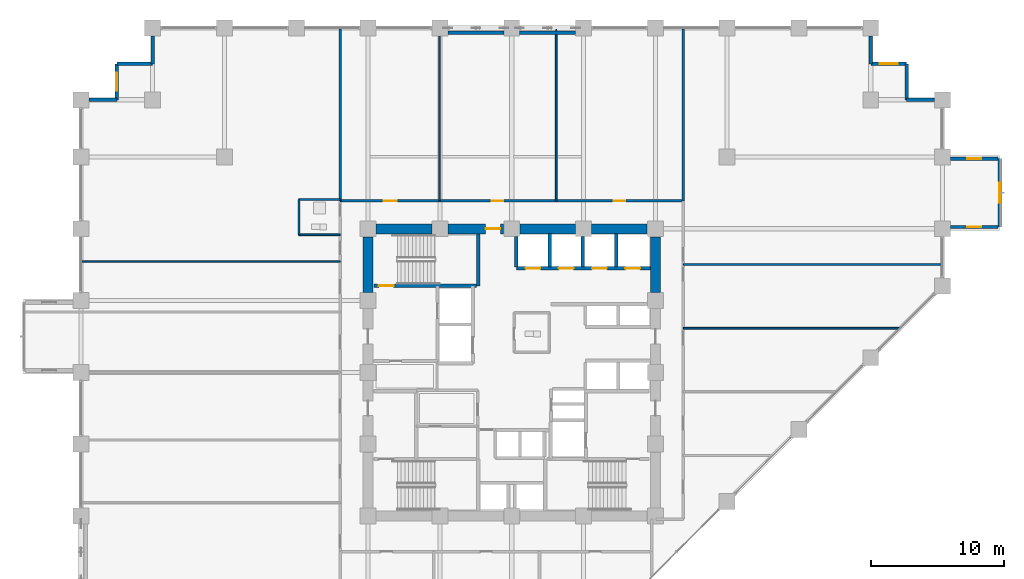
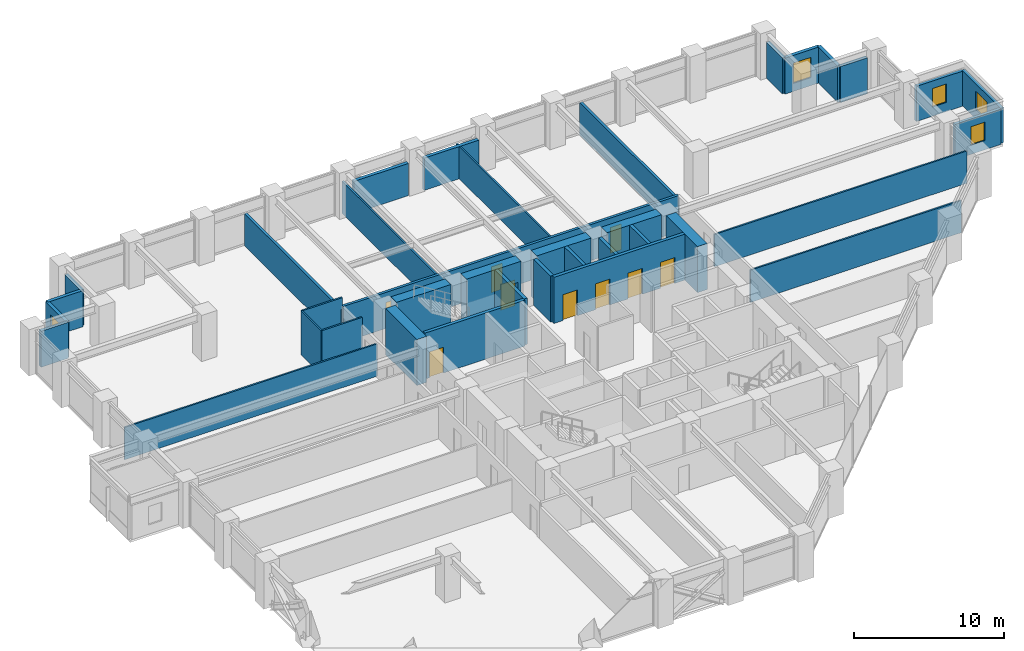
# One storey, part 23 of 28: 37 walls, 9 doors, 5 windows, 14 openings.
"""IFC4 building model written with IfcOpenShell, lengths in metres."""

from ifc_helpers import new_model, si_unit, direction, frame, frame_2d, origin, place, context, subcontext, project, spatial, rectangle, extrude, material, layer, layer_set, type_object, element, fill, save


model = new_model("IFC4")

# Units and contexts
model_context = context("Model", 3, precision=1e-05, world=origin(), true_north=direction((0.0, 1.0)))
body_context = subcontext(model_context, "Body", "Model", "MODEL_VIEW")
ifc_project = project(units=[si_unit("LENGTHUNIT", "METRE"), si_unit("AREAUNIT", "SQUARE_METRE"), si_unit("VOLUMEUNIT", "CUBIC_METRE"), si_unit("PLANEANGLEUNIT", "RADIAN"), si_unit("MASSUNIT", "GRAM", prefix="KILO")], contexts=[model_context])

# Site, building, storey
site_placement = place(None, origin())
site = spatial("IfcSite", under=ifc_project, at=site_placement, CompositionType="ELEMENT")
building_placement = place(site_placement, origin())
building = spatial("IfcBuilding", under=site, at=building_placement, Name="Surkhivell Harbour Commons", CompositionType="ELEMENT")
storey_placement = place(building_placement, frame((0.0, 0.0, 67.5)))
storey = spatial("IfcBuildingStorey", under=building, at=storey_placement, Name="L17", CompositionType="ELEMENT", Elevation=67.5)

# Wall
ifc_material_1 = material(Name="Concrete C60/75", Category="concrete")
ifc_layer_1 = layer(ifc_material_1, 0.75)
ifc_layer_set_1 = layer_set([ifc_layer_1], Name="Concrete C60/75")
wall_type_1 = type_object("IfcWallType", Name="WAL-CORE-750", PredefinedType="SHEAR", material=ifc_layer_set_1)
wall_1_placement = place(storey_placement, frame((-10.18994140625, 10.800048828125, 0.0), z_axis=(0.0, 0.0, 1.0), x_axis=(1.0, 0.0, 0.0)))
element("IfcWall", 1, at=wall_1_placement, inside=storey, type_object=wall_type_1, Name="L17 Core Shear Wall North 1", PredefinedType="SHEAR", context=body_context, shape_type="SweptSolid", body=[
    extrude(rectangle(XDim=4.179931640625, YDim=0.75, at=frame_2d((2.08984375, 0.0))), origin(), (0.0, 0.0, 1.0), 3.75),
])

# Wall, opening, door
wall_2_placement = place(storey_placement, frame((-4.7900390625, 10.800048828125, 0.0), z_axis=(0.0, 0.0, 1.0), x_axis=(1.0, 0.0, 0.0)))
wall_2 = element("IfcWall", 2, at=wall_2_placement, inside=storey, type_object=wall_type_1, Name="L17 Core Shear Wall North 2", PredefinedType="SHEAR", context=body_context, shape_type="SweptSolid", body=[
    extrude(rectangle(XDim=4.179931640625, YDim=0.75, at=frame_2d((2.08984375, 0.0))), origin(), (0.0, 0.0, 1.0), 3.75),
])
opening_1_placement = place(wall_2_placement, frame((2.830078125, 0.0, 0.0)))
opening_1 = element("IfcOpeningElement", 3, at=opening_1_placement, cuts=wall_2, Name="Opening ID-2", PredefinedType="OPENING", context=body_context, shape_type="SweptSolid", body=[
    extrude(rectangle(XDim=1.10009765625, YDim=2.10009765625, at=frame_2d((0.550048828125, 1.050048828125))), frame((0.0, 0.385009765625, 0.0), z_axis=(0.0, -1.0, 0.0), x_axis=(1.0, 0.0, 0.0)), (0.0, 0.0, 1.0), 0.77001953125),
])
ifc_material_2 = material(Name="Hardwood-veneered fire-rated door leaf", Category="wood")
door_type_1 = type_object("IfcDoorType", Name="DOR-FD60-1100", OperationType="NOTDEFINED", PredefinedType="DOOR", material=ifc_material_2)
door_1_placement = place(opening_1_placement, origin())
door_1 = element("IfcDoor", 4, at=door_1_placement, inside=storey, type_object=door_type_1, Name="L17 Central Core Lift Hall North Corridor Door", OperationType="SINGLE_SWING_LEFT", OverallHeight=2.10009765625, OverallWidth=1.10009765625, PredefinedType="DOOR", context=body_context, shape_type="SweptSolid", body=[
    extrude(rectangle(XDim=1.10009765625, YDim=2.10009765625, at=frame_2d((0.550048828125, 1.050048828125))), frame((0.0, 0.02490234375, 0.0), z_axis=(0.0, -1.0, 0.0), x_axis=(1.0, 0.0, 0.0)), (0.0, 0.0, 1.0), 0.050048828125),
])
fill(opening_1, door_1)

# Walls
for number, where, z_axis, x_axis, name in (
    (5, (0.610107421875, 10.800048828125, 0.0), (0.0, 0.0, 1.0), (1.0, 0.0, 0.0), "L17 Core Shear Wall North 3"),
    (6, (6.010009765625, 10.800048828125, 0.0), (0.0, 0.0, 1.0), (1.0, 0.0, 0.0), "L17 Core Shear Wall North 4"),
    (7, (-10.800048828125, 6.010009765625, 0.0), (0.0, 0.0, 1.0), (0.0, 1.0, 0.0), "L17 Core Shear Wall West 4"),
    (8, (10.800048828125, 6.010009765625, 0.0), (0.0, 0.0, 1.0), (0.0, 1.0, 0.0), "L17 Core Shear Wall East 4"),
):
    element("IfcWall", number, at=place(storey_placement, frame(where, z_axis=z_axis, x_axis=x_axis)), inside=storey, type_object=wall_type_1, Name=name, PredefinedType="SHEAR", context=body_context, shape_type="SweptSolid", body=[
        extrude(rectangle(XDim=4.179931640625, YDim=0.75, at=frame_2d((2.08984375, 0.0))), origin(), (0.0, 0.0, 1.0), 3.75),
    ])
ifc_material_3 = material(Name="Pale-metal insulated precast concrete C45/55", Category="concrete")
ifc_layer_2 = layer(ifc_material_3, 0.260009765625)
ifc_layer_set_2 = layer_set([ifc_layer_2], Name="Pale-metal insulated precast concrete C45/55")
wall_type_2 = type_object("IfcWallType", Name="WAL-EXT-MTL260", PredefinedType="STANDARD", material=ifc_layer_set_2)
wall_3_placement = place(storey_placement, frame((31.802001953125, 20.5, 0.0), z_axis=(0.0, 0.0, 1.0), x_axis=(-1.0, 0.0, 0.0)))
element("IfcWall", 9, at=wall_3_placement, inside=storey, type_object=wall_type_2, Name="L17 Serrated Corner Facade Wall 03", PredefinedType="STANDARD", context=body_context, shape_type="SweptSolid", body=[
    extrude(rectangle(XDim=2.10205078125, YDim=0.260009765625, at=frame_2d((1.051025390625, 0.0))), origin(), (0.0, 0.0, 1.0), 2.929931640625),
])
wall_4_placement = place(storey_placement, frame((29.699951171875, 20.5, 0.0), z_axis=(0.0, 0.0, 1.0), x_axis=(0.0, 1.0, 0.0)))
element("IfcWall", 10, at=wall_4_placement, inside=storey, type_object=wall_type_2, Name="L17 Serrated Corner Facade Wall 04", PredefinedType="STANDARD", context=body_context, shape_type="SweptSolid", body=[
    extrude(rectangle(XDim=2.699951171875, YDim=0.260009765625, at=frame_2d((1.35009765625, 0.0))), origin(), (0.0, 0.0, 1.0), 2.929931640625),
])

# Wall, opening, window
wall_5_placement = place(storey_placement, frame((29.699951171875, 23.199951171875, 0.0), z_axis=(0.0, 0.0, 1.0), x_axis=(-1.0, 0.0, 0.0)))
wall_5 = element("IfcWall", 11, at=wall_5_placement, inside=storey, type_object=wall_type_2, Name="L17 Serrated Corner Facade Wall 05", PredefinedType="STANDARD", context=body_context, shape_type="SweptSolid", body=[
    extrude(rectangle(XDim=2.699951171875, YDim=0.260009765625, at=frame_2d((1.35009765625, 0.0))), origin(), (0.0, 0.0, 1.0), 2.929931640625),
])
opening_2_placement = place(wall_5_placement, frame((0.675048828125, 0.0, 0.64990234375)))
opening_2 = element("IfcOpeningElement", 12, at=opening_2_placement, cuts=wall_5, Name="Opening WN-08", PredefinedType="OPENING", context=body_context, shape_type="SweptSolid", body=[
    extrude(rectangle(XDim=1.35009765625, YDim=1.64990234375, at=frame_2d((0.675048828125, 0.824951171875))), frame((0.0, 0.139892578125, 0.0), z_axis=(0.0, -1.0, 0.0), x_axis=(1.0, 0.0, 0.0)), (0.0, 0.0, 1.0), 0.280029296875),
])
ifc_material_4 = material(Name="Thermal-break aluminium frame and double low-E glazing", Category="aluminium")
window_type_1 = type_object("IfcWindowType", Name="WIN-SER-1350x1650", PartitioningType="SINGLE_PANEL", PredefinedType="WINDOW", material=ifc_material_4)
window_1_placement = place(opening_2_placement, origin())
window_1 = element("IfcWindow", 13, at=window_1_placement, inside=storey, type_object=window_type_1, Name="L17 Serrated Alcove Window 05", OverallHeight=1.64990234375, OverallWidth=1.35009765625, PartitioningType="SINGLE_PANEL", PredefinedType="WINDOW", context=body_context, shape_type="SweptSolid", body=[
    extrude(rectangle(XDim=1.35009765625, YDim=1.64990234375, at=frame_2d((0.675048828125, 0.824951171875))), frame((0.0, 0.030029296875, 0.0), z_axis=(0.0, -1.0, 0.0), x_axis=(1.0, 0.0, 0.0)), (0.0, 0.0, 1.0), 0.06005859375),
])
fill(opening_2, window_1)

# Walls
wall_6_placement = place(storey_placement, frame((27.0, 23.199951171875, 0.0), z_axis=(0.0, 0.0, 1.0), x_axis=(0.0, 1.0, 0.0)))
element("IfcWall", 14, at=wall_6_placement, inside=storey, type_object=wall_type_2, Name="L17 Serrated Corner Facade Wall 06", PredefinedType="STANDARD", context=body_context, shape_type="SweptSolid", body=[
    extrude(rectangle(XDim=2.10205078125, YDim=0.260009765625, at=frame_2d((1.051025390625, 0.0))), origin(), (0.0, 0.0, 1.0), 2.929931640625),
])
for number, where, z_axis, x_axis, name in (
    (15, (-0.597900390625, 25.5400390625, 0.0), (0.0, 0.0, 1.0), (-1.0, 0.0, 0.0), "L17 Braced-Bay Insulated Spandrel Backing N"),
    (16, (4.802001953125, 25.5400390625, 0.0), (0.0, 0.0, 1.0), (-1.0, 0.0, 0.0), "L17 Braced-Bay Insulated Spandrel Backing N2"),
):
    element("IfcWall", number, at=place(storey_placement, frame(where, z_axis=z_axis, x_axis=x_axis)), inside=storey, type_object=wall_type_2, Name=name, PredefinedType="STANDARD", context=body_context, shape_type="SweptSolid", body=[
        extrude(rectangle(XDim=4.2041015625, YDim=0.260009765625, at=frame_2d((2.10205078125, 0.0))), origin(), (0.0, 0.0, 1.0), 2.623046875),
    ])
wall_7_placement = place(storey_placement, frame((-27.0, 25.302001953125, 0.0), z_axis=(0.0, 0.0, 1.0), x_axis=(0.0, -1.0, 0.0)))
element("IfcWall", 17, at=wall_7_placement, inside=storey, type_object=wall_type_2, Name="L17 Serrated Corner Facade Wall 08", PredefinedType="STANDARD", context=body_context, shape_type="SweptSolid", body=[
    extrude(rectangle(XDim=2.10205078125, YDim=0.260009765625, at=frame_2d((1.051025390625, 0.0))), origin(), (0.0, 0.0, 1.0), 2.929931640625),
])
wall_8_placement = place(storey_placement, frame((-27.0, 23.199951171875, 0.0), z_axis=(0.0, 0.0, 1.0), x_axis=(-1.0, 0.0, 0.0)))
element("IfcWall", 18, at=wall_8_placement, inside=storey, type_object=wall_type_2, Name="L17 Serrated Corner Facade Wall 09", PredefinedType="STANDARD", context=body_context, shape_type="SweptSolid", body=[
    extrude(rectangle(XDim=2.699951171875, YDim=0.260009765625, at=frame_2d((1.35009765625, 0.0))), origin(), (0.0, 0.0, 1.0), 2.929931640625),
])

# Wall, opening, window
wall_9_placement = place(storey_placement, frame((-29.699951171875, 23.199951171875, 0.0), z_axis=(0.0, 0.0, 1.0), x_axis=(0.0, -1.0, 0.0)))
wall_9 = element("IfcWall", 19, at=wall_9_placement, inside=storey, type_object=wall_type_2, Name="L17 Serrated Corner Facade Wall 10", PredefinedType="STANDARD", context=body_context, shape_type="SweptSolid", body=[
    extrude(rectangle(XDim=2.699951171875, YDim=0.260009765625, at=frame_2d((1.35009765625, 0.0))), origin(), (0.0, 0.0, 1.0), 2.929931640625),
])
opening_3_placement = place(wall_9_placement, frame((0.675048828125, 0.0, 0.64990234375)))
opening_3 = element("IfcOpeningElement", 20, at=opening_3_placement, cuts=wall_9, Name="Opening WN-08", PredefinedType="OPENING", context=body_context, shape_type="SweptSolid", body=[
    extrude(rectangle(XDim=1.35009765625, YDim=1.64990234375, at=frame_2d((0.675048828125, 0.824951171875))), frame((0.0, 0.139892578125, 0.0), z_axis=(0.0, -1.0, 0.0), x_axis=(1.0, 0.0, 0.0)), (0.0, 0.0, 1.0), 0.280029296875),
])
window_2_placement = place(opening_3_placement, origin())
window_2 = element("IfcWindow", 21, at=window_2_placement, inside=storey, type_object=window_type_1, Name="L17 Serrated Alcove Window 10", OverallHeight=1.64990234375, OverallWidth=1.35009765625, PartitioningType="SINGLE_PANEL", PredefinedType="WINDOW", context=body_context, shape_type="SweptSolid", body=[
    extrude(rectangle(XDim=1.35009765625, YDim=1.64990234375, at=frame_2d((0.675048828125, 0.824951171875))), frame((0.0, 0.030029296875, 0.0), z_axis=(0.0, -1.0, 0.0), x_axis=(1.0, 0.0, 0.0)), (0.0, 0.0, 1.0), 0.06005859375),
])
fill(opening_3, window_2)

# Wall
wall_10_placement = place(storey_placement, frame((-29.699951171875, 20.5, 0.0), z_axis=(0.0, 0.0, 1.0), x_axis=(-1.0, 0.0, 0.0)))
element("IfcWall", 22, at=wall_10_placement, inside=storey, type_object=wall_type_2, Name="L17 Serrated Corner Facade Wall 11", PredefinedType="STANDARD", context=body_context, shape_type="SweptSolid", body=[
    extrude(rectangle(XDim=2.10205078125, YDim=0.260009765625, at=frame_2d((1.051025390625, 0.0))), origin(), (0.0, 0.0, 1.0), 2.929931640625),
])

# Wall, opening, window
ifc_material_5 = material(Name="Bronze-ochre cassette precast concrete C45/55", Category="concrete")
ifc_layer_3 = layer(ifc_material_5, 0.239990234375)
ifc_layer_set_3 = layer_set([ifc_layer_3], Name="Bronze-ochre cassette precast concrete C45/55")
wall_type_3 = type_object("IfcWallType", Name="WAL-EXT-OCH240", PredefinedType="STANDARD", material=ifc_layer_set_3)
wall_11_placement = place(storey_placement, frame((36.699951171875, 10.919921875, 0.0), z_axis=(0.0, 0.0, 1.0), x_axis=(0.0, 1.0, 0.0)))
wall_11 = element("IfcWall", 23, at=wall_11_placement, inside=storey, type_object=wall_type_3, Name="L17 Coloured Box Front Wall 01", PredefinedType="STANDARD", context=body_context, shape_type="SweptSolid", body=[
    extrude(rectangle(XDim=5.16015625, YDim=0.239990234375, at=frame_2d((2.580078125, 0.0))), origin(), (0.0, 0.0, 1.0), 2.85693359375),
])
opening_4_placement = place(wall_11_placement, frame((1.830078125, 0.0, 0.75)))
opening_4 = element("IfcOpeningElement", 24, at=opening_4_placement, cuts=wall_11, Name="Opening WN-13", PredefinedType="OPENING", context=body_context, shape_type="SweptSolid", body=[
    extrude(rectangle(XDim=1.5, YDim=1.5, at=frame_2d((0.75, 0.75))), frame((0.0, 0.1298828125, 0.0), z_axis=(0.0, -1.0, 0.0), x_axis=(1.0, 0.0, 0.0)), (0.0, 0.0, 1.0), 0.260009765625),
])
window_type_2 = type_object("IfcWindowType", Name="WIN-BOX-1500x1500", PartitioningType="SINGLE_PANEL", PredefinedType="WINDOW", material=ifc_material_4)
window_3_placement = place(opening_4_placement, origin())
window_3 = element("IfcWindow", 25, at=window_3_placement, inside=storey, type_object=window_type_2, Name="L17 Coloured Box Square Window 01-1", OverallHeight=1.5, OverallWidth=1.5, PartitioningType="SINGLE_PANEL", PredefinedType="WINDOW", context=body_context, shape_type="SweptSolid", body=[
    extrude(rectangle(XDim=1.5, YDim=1.5, at=frame_2d((0.75, 0.75))), frame((0.0, 0.030029296875, 0.0), z_axis=(0.0, -1.0, 0.0), x_axis=(1.0, 0.0, 0.0)), (0.0, 0.0, 1.0), 0.06005859375),
])
fill(opening_4, window_3)

wall_12_placement = place(storey_placement, frame((33.00390625, 10.93994140625, 0.0), z_axis=(0.0, 0.0, 1.0), x_axis=(1.0, 0.0, 0.0)))
wall_12 = element("IfcWall", 26, at=wall_12_placement, inside=storey, type_object=wall_type_3, Name="L17 Coloured Box Return Wall 01S", PredefinedType="STANDARD", context=body_context, shape_type="SweptSolid", body=[
    extrude(rectangle(XDim=3.55615234375, YDim=0.239990234375, at=frame_2d((1.778076171875, 0.0))), origin(), (0.0, 0.0, 1.0), 2.85693359375),
])
opening_5_placement = place(wall_12_placement, frame((1.2529296875, 0.0, 0.75)))
opening_5 = element("IfcOpeningElement", 27, at=opening_5_placement, cuts=wall_12, Name="Opening WN-11", PredefinedType="OPENING", context=body_context, shape_type="SweptSolid", body=[
    extrude(rectangle(XDim=1.050048828125, YDim=1.5, at=frame_2d((0.52490234375, 0.75))), frame((0.0, 0.1298828125, 0.0), z_axis=(0.0, -1.0, 0.0), x_axis=(1.0, 0.0, 0.0)), (0.0, 0.0, 1.0), 0.260009765625),
])
window_type_3 = type_object("IfcWindowType", Name="WIN-SER-1050x1500", PartitioningType="SINGLE_PANEL", PredefinedType="WINDOW", material=ifc_material_4)
window_4_placement = place(opening_5_placement, origin())
window_4 = element("IfcWindow", 28, at=window_4_placement, inside=storey, type_object=window_type_3, Name="L17 Coloured Box Return Window 01S", OverallHeight=1.5, OverallWidth=1.050048828125, PartitioningType="SINGLE_PANEL", PredefinedType="WINDOW", context=body_context, shape_type="SweptSolid", body=[
    extrude(rectangle(XDim=1.050048828125, YDim=1.5, at=frame_2d((0.52490234375, 0.75))), frame((0.0, 0.030029296875, 0.0), z_axis=(0.0, -1.0, 0.0), x_axis=(1.0, 0.0, 0.0)), (0.0, 0.0, 1.0), 0.06005859375),
])
fill(opening_5, window_4)

wall_13_placement = place(storey_placement, frame((33.00390625, 16.06005859375, 0.0), z_axis=(0.0, 0.0, 1.0), x_axis=(1.0, 0.0, 0.0)))
wall_13 = element("IfcWall", 29, at=wall_13_placement, inside=storey, type_object=wall_type_3, Name="L17 Coloured Box Return Wall 01N", PredefinedType="STANDARD", context=body_context, shape_type="SweptSolid", body=[
    extrude(rectangle(XDim=3.55615234375, YDim=0.239990234375, at=frame_2d((1.778076171875, 0.0))), origin(), (0.0, 0.0, 1.0), 2.85693359375),
])
opening_6_placement = place(wall_13_placement, frame((1.2529296875, 0.0, 0.75)))
opening_6 = element("IfcOpeningElement", 30, at=opening_6_placement, cuts=wall_13, Name="Opening WN-11", PredefinedType="OPENING", context=body_context, shape_type="SweptSolid", body=[
    extrude(rectangle(XDim=1.050048828125, YDim=1.5, at=frame_2d((0.52490234375, 0.75))), frame((0.0, 0.1298828125, 0.0), z_axis=(0.0, -1.0, 0.0), x_axis=(1.0, 0.0, 0.0)), (0.0, 0.0, 1.0), 0.260009765625),
])
window_5_placement = place(opening_6_placement, origin())
window_5 = element("IfcWindow", 31, at=window_5_placement, inside=storey, type_object=window_type_3, Name="L17 Coloured Box Return Window 01N", OverallHeight=1.5, OverallWidth=1.050048828125, PartitioningType="SINGLE_PANEL", PredefinedType="WINDOW", context=body_context, shape_type="SweptSolid", body=[
    extrude(rectangle(XDim=1.050048828125, YDim=1.5, at=frame_2d((0.52490234375, 0.75))), frame((0.0, 0.030029296875, 0.0), z_axis=(0.0, -1.0, 0.0), x_axis=(1.0, 0.0, 0.0)), (0.0, 0.0, 1.0), 0.06005859375),
])
fill(opening_6, window_5)

# Walls
ifc_material_6 = material(Name="Moisture-resistant acoustic stud partition", Category="other")
ifc_layer_4 = layer(ifc_material_6, 0.125)
ifc_layer_set_4 = layer_set([ifc_layer_4], Name="Moisture-resistant acoustic stud partition")
wall_type_4 = type_object("IfcWallType", Name="WAL-INT-125", PredefinedType="PARTITIONING", material=ifc_layer_set_4)
wall_14_placement = place(storey_placement, frame((12.89990234375, 3.320068359375, 0.0), z_axis=(0.0, 0.0, 1.0), x_axis=(1.0, 0.0, 0.0)))
element("IfcWall", 32, at=wall_14_placement, inside=storey, type_object=wall_type_4, Name="L17 East Partition P3", PredefinedType="PARTITIONING", context=body_context, shape_type="SweptSolid", body=[
    extrude(rectangle(XDim=16.2353515625, YDim=0.125, at=frame_2d((8.11767578125, 0.0))), origin(), (0.0, 0.0, 1.0), 2.623046875),
])
wall_15_placement = place(storey_placement, frame((12.89990234375, 8.110107421875, 0.0), z_axis=(0.0, 0.0, 1.0), x_axis=(1.0, 0.0, 0.0)))
element("IfcWall", 33, at=wall_15_placement, inside=storey, type_object=wall_type_4, Name="L17 East Partition P4", PredefinedType="PARTITIONING", context=body_context, shape_type="SweptSolid", body=[
    extrude(rectangle(XDim=19.440185546875, YDim=0.125, at=frame_2d((9.72021484375, 0.0))), origin(), (0.0, 0.0, 1.0), 2.623046875),
])
for number, where, z_axis, x_axis, name in (
    (34, (-5.419921875, 12.89990234375, 0.0), (0.0, 0.0, 1.0), (0.0, 1.0, 0.0), "L17 North Partition P1"),
    (35, (3.35009765625, 12.89990234375, 0.0), (0.0, 0.0, 1.0), (0.0, 1.0, 0.0), "L17 North Partition P2"),
):
    element("IfcWall", number, at=place(storey_placement, frame(where, z_axis=z_axis, x_axis=x_axis)), inside=storey, type_object=wall_type_4, Name=name, PredefinedType="PARTITIONING", context=body_context, shape_type="SweptSolid", body=[
        extrude(rectangle(XDim=12.940185546875, YDim=0.125, at=frame_2d((6.47021484375, 0.0))), origin(), (0.0, 0.0, 1.0), 2.623046875),
    ])
wall_16_placement = place(storey_placement, frame((-16.0, 10.35009765625, 0.0), z_axis=(0.0, 0.0, 1.0), x_axis=(0.0, 1.0, 0.0)))
element("IfcWall", 36, at=wall_16_placement, inside=storey, type_object=wall_type_4, Name="L17 West Partition BTHB", PredefinedType="PARTITIONING", context=body_context, shape_type="SweptSolid", body=[
    extrude(rectangle(XDim=2.64990234375, YDim=0.125, at=frame_2d((1.324951171875, 0.0))), origin(), (0.0, 0.0, 1.0), 3.570068359375),
])
for number, where, z_axis, x_axis, name in (
    (37, (-16.0, 13.0, 0.0), (0.0, 0.0, 1.0), (1.0, 0.0, 0.0), "L17 West Partition BTHN"),
    (38, (-16.0, 10.35009765625, 0.0), (0.0, 0.0, 1.0), (1.0, 0.0, 0.0), "L17 West Partition BTHS"),
):
    element("IfcWall", number, at=place(storey_placement, frame(where, z_axis=z_axis, x_axis=x_axis)), inside=storey, type_object=wall_type_4, Name=name, PredefinedType="PARTITIONING", context=body_context, shape_type="SweptSolid", body=[
        extrude(rectangle(XDim=3.10009765625, YDim=0.125, at=frame_2d((1.550048828125, 0.0))), origin(), (0.0, 0.0, 1.0), 3.570068359375),
    ])
wall_17_placement = place(storey_placement, frame((-32.340087890625, 8.35009765625, 0.0), z_axis=(0.0, 0.0, 1.0), x_axis=(1.0, 0.0, 0.0)))
element("IfcWall", 39, at=wall_17_placement, inside=storey, type_object=wall_type_4, Name="L17 West Partition PTOP", PredefinedType="PARTITIONING", context=body_context, shape_type="SweptSolid", body=[
    extrude(rectangle(XDim=19.440185546875, YDim=0.125, at=frame_2d((9.72021484375, 0.0))), origin(), (0.0, 0.0, 1.0), 2.623046875),
])
ifc_material_7 = material(Name="Autoclaved aerated concrete blockwork and fire plaster", Category="masonry")
ifc_layer_5 = layer(ifc_material_7, 0.199951171875)
ifc_layer_set_5 = layer_set([ifc_layer_5], Name="Autoclaved aerated concrete blockwork and fire plaster")
wall_type_5 = type_object("IfcWallType", Name="WAL-INT-200", PredefinedType="PARTITIONING", material=ifc_layer_set_5)
for number, where, z_axis, x_axis, name in (
    (40, (12.89990234375, 12.89990234375, 0.0), (0.0, 0.0, 1.0), (0.0, 1.0, 0.0), "L17 North-East Wing Corner Divider"),
    (41, (-12.89990234375, 12.89990234375, 0.0), (0.0, 0.0, 1.0), (0.0, 1.0, 0.0), "L17 North-West Wing Corner Divider"),
):
    element("IfcWall", number, at=place(storey_placement, frame(where, z_axis=z_axis, x_axis=x_axis)), inside=storey, type_object=wall_type_5, Name=name, PredefinedType="PARTITIONING", context=body_context, shape_type="SweptSolid", body=[
        extrude(rectangle(XDim=12.940185546875, YDim=0.199951171875, at=frame_2d((6.47021484375, 0.0))), origin(), (0.0, 0.0, 1.0), 2.623046875),
    ])

# Wall, openings, doors
wall_18_placement = place(storey_placement, frame((-12.89990234375, 12.89990234375, 0.0), z_axis=(0.0, 0.0, 1.0), x_axis=(1.0, 0.0, 0.0)))
wall_18 = element("IfcWall", 42, at=wall_18_placement, inside=storey, type_object=wall_type_5, Name="L17 Corridor North Wall", PredefinedType="PARTITIONING", context=body_context, shape_type="SweptSolid", body=[
    extrude(rectangle(XDim=25.7998046875, YDim=0.199951171875, at=frame_2d((12.89990234375, 0.0))), origin(), (0.0, 0.0, 1.0), 2.929931640625),
])
opening_7_placement = place(wall_18_placement, frame((3.2900390625, 0.0, 0.0)))
opening_7 = element("IfcOpeningElement", 43, at=opening_7_placement, cuts=wall_18, Name="Opening ID-4", PredefinedType="OPENING", context=body_context, shape_type="SweptSolid", body=[
    extrude(rectangle(XDim=0.949951171875, YDim=2.10009765625, at=frame_2d((0.47509765625, 1.050048828125))), frame((0.0, 0.10986328125, 0.0), z_axis=(0.0, -1.0, 0.0), x_axis=(1.0, 0.0, 0.0)), (0.0, 0.0, 1.0), 0.219970703125),
])
opening_8_placement = place(wall_18_placement, frame((11.4150390625, 0.0, 0.0)))
opening_8 = element("IfcOpeningElement", 44, at=opening_8_placement, cuts=wall_18, Name="Opening ID-6", PredefinedType="OPENING", context=body_context, shape_type="SweptSolid", body=[
    extrude(rectangle(XDim=0.85009765625, YDim=2.10009765625, at=frame_2d((0.425048828125, 1.050048828125))), frame((0.0, 0.10986328125, 0.0), z_axis=(0.0, -1.0, 0.0), x_axis=(1.0, 0.0, 0.0)), (0.0, 0.0, 1.0), 0.219970703125),
])
opening_9_placement = place(wall_18_placement, frame((20.574951171875, 0.0, 0.0)))
opening_9 = element("IfcOpeningElement", 45, at=opening_9_placement, cuts=wall_18, Name="Opening ID-6", PredefinedType="OPENING", context=body_context, shape_type="SweptSolid", body=[
    extrude(rectangle(XDim=0.85009765625, YDim=2.10009765625, at=frame_2d((0.425048828125, 1.050048828125))), frame((0.0, 0.10986328125, 0.0), z_axis=(0.0, -1.0, 0.0), x_axis=(1.0, 0.0, 0.0)), (0.0, 0.0, 1.0), 0.219970703125),
])
door_type_2 = type_object("IfcDoorType", Name="DOR-FD30-850", OperationType="NOTDEFINED", PredefinedType="DOOR", material=ifc_material_2)
door_2_placement = place(opening_8_placement, origin())
door_2 = element("IfcDoor", 46, at=door_2_placement, inside=storey, type_object=door_type_2, Name="L17 Visitor Arrival Reception Foyer 2 North Door", OperationType="SINGLE_SWING_RIGHT", OverallHeight=2.10009765625, OverallWidth=0.85009765625, PredefinedType="DOOR", context=body_context, shape_type="SweptSolid", body=[
    extrude(rectangle(XDim=0.85009765625, YDim=2.10009765625, at=frame_2d((0.425048828125, 1.050048828125))), frame((0.0, 0.02490234375, 0.0), z_axis=(0.0, -1.0, 0.0), x_axis=(1.0, 0.0, 0.0)), (0.0, 0.0, 1.0), 0.050048828125),
])
fill(opening_8, door_2)
door_3_placement = place(opening_9_placement, origin())
door_3 = element("IfcDoor", 47, at=door_3_placement, inside=storey, type_object=door_type_2, Name="L17 Student Welcome Reception Foyer 3 North Door", OperationType="SINGLE_SWING_LEFT", OverallHeight=2.10009765625, OverallWidth=0.85009765625, PredefinedType="DOOR", context=body_context, shape_type="SweptSolid", body=[
    extrude(rectangle(XDim=0.85009765625, YDim=2.10009765625, at=frame_2d((0.425048828125, 1.050048828125))), frame((0.0, 0.02490234375, 0.0), z_axis=(0.0, -1.0, 0.0), x_axis=(1.0, 0.0, 0.0)), (0.0, 0.0, 1.0), 0.050048828125),
])
fill(opening_9, door_3)
door_type_3 = type_object("IfcDoorType", Name="DOR-FD60-950", OperationType="NOTDEFINED", PredefinedType="DOOR", material=ifc_material_2)
door_4_placement = place(opening_7_placement, origin())
door_4 = element("IfcDoor", 48, at=door_4_placement, inside=storey, type_object=door_type_3, Name="L17 Zone Concierge Reception Foyer 1 North Door", OperationType="SINGLE_SWING_LEFT", OverallHeight=2.10009765625, OverallWidth=0.949951171875, PredefinedType="DOOR", context=body_context, shape_type="SweptSolid", body=[
    extrude(rectangle(XDim=0.949951171875, YDim=2.10009765625, at=frame_2d((0.47509765625, 1.050048828125))), frame((0.0, 0.02490234375, 0.0), z_axis=(0.0, -1.0, 0.0), x_axis=(1.0, 0.0, 0.0)), (0.0, 0.0, 1.0), 0.050048828125),
])
fill(opening_7, door_4)

# Walls
ifc_material_8 = material(Name="Concrete C50/60", Category="concrete")
ifc_layer_6 = layer(ifc_material_8, 0.25)
ifc_layer_set_6 = layer_set([ifc_layer_6], Name="Concrete C50/60")
wall_type_6 = type_object("IfcWallType", Name="WAL-SHAFT-250", PredefinedType="SHEAR", material=ifc_layer_set_6)
wall_19_placement = place(storey_placement, frame((2.85009765625, 7.93994140625, 0.0), z_axis=(0.0, 0.0, 1.0), x_axis=(0.0, 1.0, 0.0)))
element("IfcWall", 49, at=wall_19_placement, inside=storey, type_object=wall_type_6, Name="L17 Low-Rise Hoistway Wall", PredefinedType="SHEAR", context=body_context, shape_type="SweptSolid", body=[
    extrude(rectangle(XDim=2.485107421875, YDim=0.25, at=frame_2d((1.24267578125, 0.0))), origin(), (0.0, 0.0, 1.0), 3.75),
])
for number, where, z_axis, x_axis, name in (
    (50, (0.35009765625, 7.93994140625, 0.0), (0.0, 0.0, 1.0), (0.0, 1.0, 0.0), "L17 Low-Rise Hoistway Wall"),
    (51, (5.35009765625, 7.93994140625, 0.0), (0.0, 0.0, 1.0), (0.0, 1.0, 0.0), "L17 Low-Rise Hoistway Wall"),
):
    element("IfcWall", number, at=place(storey_placement, frame(where, z_axis=z_axis, x_axis=x_axis)), inside=storey, type_object=wall_type_6, Name=name, PredefinedType="SHEAR", context=body_context, shape_type="SweptSolid", body=[
        extrude(rectangle(XDim=2.260009765625, YDim=0.25, at=frame_2d((1.1298828125, 0.0))), origin(), (0.0, 0.0, 1.0), 3.75),
    ])
wall_20_placement = place(storey_placement, frame((7.85009765625, 7.93994140625, 0.0), z_axis=(0.0, 0.0, 1.0), x_axis=(0.0, 1.0, 0.0)))
element("IfcWall", 52, at=wall_20_placement, inside=storey, type_object=wall_type_6, Name="L17 Low-Rise Hoistway Wall", PredefinedType="SHEAR", context=body_context, shape_type="SweptSolid", body=[
    extrude(rectangle(XDim=2.485107421875, YDim=0.25, at=frame_2d((1.24267578125, 0.0))), origin(), (0.0, 0.0, 1.0), 3.75),
])

# Wall, openings, doors
wall_21_placement = place(storey_placement, frame((0.35009765625, 7.820068359375, 0.0), z_axis=(0.0, 0.0, 1.0), x_axis=(1.0, 0.0, 0.0)))
wall_21 = element("IfcWall", 53, at=wall_21_placement, inside=storey, type_object=wall_type_6, Name="L17 Low-Rise Lift Front Shaft Wall", PredefinedType="SHEAR", context=body_context, shape_type="SweptSolid", body=[
    extrude(rectangle(XDim=10.074951171875, YDim=0.25, at=frame_2d((5.03759765625, 0.0))), origin(), (0.0, 0.0, 1.0), 3.75),
])
opening_10_placement = place(wall_21_placement, frame((0.699951171875, 0.0, 0.0)))
opening_10 = element("IfcOpeningElement", 54, at=opening_10_placement, cuts=wall_21, Name="Opening LD-1", PredefinedType="OPENING", context=body_context, shape_type="SweptSolid", body=[
    extrude(rectangle(XDim=1.10009765625, YDim=2.10009765625, at=frame_2d((0.550048828125, 1.050048828125))), frame((0.0, 0.135009765625, 0.0), z_axis=(0.0, -1.0, 0.0), x_axis=(1.0, 0.0, 0.0)), (0.0, 0.0, 1.0), 0.27001953125),
])
opening_11_placement = place(wall_21_placement, frame((3.199951171875, 0.0, 0.0)))
opening_11 = element("IfcOpeningElement", 55, at=opening_11_placement, cuts=wall_21, Name="Opening LD-1", PredefinedType="OPENING", context=body_context, shape_type="SweptSolid", body=[
    extrude(rectangle(XDim=1.10009765625, YDim=2.10009765625, at=frame_2d((0.550048828125, 1.050048828125))), frame((0.0, 0.135009765625, 0.0), z_axis=(0.0, -1.0, 0.0), x_axis=(1.0, 0.0, 0.0)), (0.0, 0.0, 1.0), 0.27001953125),
])
opening_12_placement = place(wall_21_placement, frame((5.699951171875, 0.0, 0.0)))
opening_12 = element("IfcOpeningElement", 56, at=opening_12_placement, cuts=wall_21, Name="Opening LD-1", PredefinedType="OPENING", context=body_context, shape_type="SweptSolid", body=[
    extrude(rectangle(XDim=1.10009765625, YDim=2.10009765625, at=frame_2d((0.550048828125, 1.050048828125))), frame((0.0, 0.135009765625, 0.0), z_axis=(0.0, -1.0, 0.0), x_axis=(1.0, 0.0, 0.0)), (0.0, 0.0, 1.0), 0.27001953125),
])
opening_13_placement = place(wall_21_placement, frame((8.199951171875, 0.0, 0.0)))
opening_13 = element("IfcOpeningElement", 57, at=opening_13_placement, cuts=wall_21, Name="Opening LD-1", PredefinedType="OPENING", context=body_context, shape_type="SweptSolid", body=[
    extrude(rectangle(XDim=1.10009765625, YDim=2.10009765625, at=frame_2d((0.550048828125, 1.050048828125))), frame((0.0, 0.135009765625, 0.0), z_axis=(0.0, -1.0, 0.0), x_axis=(1.0, 0.0, 0.0)), (0.0, 0.0, 1.0), 0.27001953125),
])
ifc_material_9 = material(Name="Brushed stainless steel S355", Category="steel")
door_type_4 = type_object("IfcDoorType", Name="DOR-LD-1100", OperationType="SLIDING_TO_LEFT", PredefinedType="DOOR", material=ifc_material_9)
door_5_placement = place(opening_10_placement, origin())
door_5 = element("IfcDoor", 58, at=door_5_placement, inside=storey, type_object=door_type_4, Name="L17 Lift Landing Door LD-PL1", OperationType="SLIDING_TO_LEFT", OverallHeight=2.10009765625, OverallWidth=1.10009765625, PredefinedType="DOOR", context=body_context, shape_type="SweptSolid", body=[
    extrude(rectangle(XDim=1.10009765625, YDim=2.10009765625, at=frame_2d((0.550048828125, 1.050048828125))), frame((0.0, 0.02490234375, 0.0), z_axis=(0.0, -1.0, 0.0), x_axis=(1.0, 0.0, 0.0)), (0.0, 0.0, 1.0), 0.050048828125),
])
fill(opening_10, door_5)
door_6_placement = place(opening_11_placement, origin())
door_6 = element("IfcDoor", 59, at=door_6_placement, inside=storey, type_object=door_type_4, Name="L17 Lift Landing Door LD-PL2", OperationType="SLIDING_TO_LEFT", OverallHeight=2.10009765625, OverallWidth=1.10009765625, PredefinedType="DOOR", context=body_context, shape_type="SweptSolid", body=[
    extrude(rectangle(XDim=1.10009765625, YDim=2.10009765625, at=frame_2d((0.550048828125, 1.050048828125))), frame((0.0, 0.02490234375, 0.0), z_axis=(0.0, -1.0, 0.0), x_axis=(1.0, 0.0, 0.0)), (0.0, 0.0, 1.0), 0.050048828125),
])
fill(opening_11, door_6)
door_7_placement = place(opening_12_placement, origin())
door_7 = element("IfcDoor", 60, at=door_7_placement, inside=storey, type_object=door_type_4, Name="L17 Lift Landing Door LD-PL3", OperationType="SLIDING_TO_LEFT", OverallHeight=2.10009765625, OverallWidth=1.10009765625, PredefinedType="DOOR", context=body_context, shape_type="SweptSolid", body=[
    extrude(rectangle(XDim=1.10009765625, YDim=2.10009765625, at=frame_2d((0.550048828125, 1.050048828125))), frame((0.0, 0.02490234375, 0.0), z_axis=(0.0, -1.0, 0.0), x_axis=(1.0, 0.0, 0.0)), (0.0, 0.0, 1.0), 0.050048828125),
])
fill(opening_12, door_7)
door_8_placement = place(opening_13_placement, origin())
door_8 = element("IfcDoor", 61, at=door_8_placement, inside=storey, type_object=door_type_4, Name="L17 Lift Landing Door LD-PL4", OperationType="SLIDING_TO_LEFT", OverallHeight=2.10009765625, OverallWidth=1.10009765625, PredefinedType="DOOR", context=body_context, shape_type="SweptSolid", body=[
    extrude(rectangle(XDim=1.10009765625, YDim=2.10009765625, at=frame_2d((0.550048828125, 1.050048828125))), frame((0.0, 0.02490234375, 0.0), z_axis=(0.0, -1.0, 0.0), x_axis=(1.0, 0.0, 0.0)), (0.0, 0.0, 1.0), 0.050048828125),
])
fill(opening_13, door_8)

# Wall
wall_22_placement = place(storey_placement, frame((-2.510009765625, 6.510009765625, 0.0), z_axis=(0.0, 0.0, 1.0), x_axis=(0.0, 1.0, 0.0)))
element("IfcWall", 62, at=wall_22_placement, inside=storey, type_object=wall_type_6, Name="L17 Stair ST1 East Shear Wall", PredefinedType="SHEAR", context=body_context, shape_type="SweptSolid", body=[
    extrude(rectangle(XDim=3.9150390625, YDim=0.25, at=frame_2d((1.95751953125, 0.0))), origin(), (0.0, 0.0, 1.0), 3.75),
])

# Wall, opening, door
wall_23_placement = place(storey_placement, frame((-10.340087890625, 6.510009765625, 0.0), z_axis=(0.0, 0.0, 1.0), x_axis=(1.0, 0.0, 0.0)))
wall_23 = element("IfcWall", 63, at=wall_23_placement, inside=storey, type_object=wall_type_6, Name="L17 Stair ST1 South Shear Wall", PredefinedType="SHEAR", context=body_context, shape_type="SweptSolid", body=[
    extrude(rectangle(XDim=7.7001953125, YDim=0.25, at=frame_2d((3.85009765625, 0.0))), origin(), (0.0, 0.0, 1.0), 3.75),
])
opening_14_placement = place(wall_23_placement, frame((0.35009765625, 0.0, 0.0)))
opening_14 = element("IfcOpeningElement", 64, at=opening_14_placement, cuts=wall_23, Name="Opening ID-2", PredefinedType="OPENING", context=body_context, shape_type="SweptSolid", body=[
    extrude(rectangle(XDim=1.10009765625, YDim=2.10009765625, at=frame_2d((0.550048828125, 1.050048828125))), frame((0.0, 0.135009765625, 0.0), z_axis=(0.0, -1.0, 0.0), x_axis=(1.0, 0.0, 0.0)), (0.0, 0.0, 1.0), 0.27001953125),
])
door_9_placement = place(opening_14_placement, origin())
door_9 = element("IfcDoor", 65, at=door_9_placement, inside=storey, type_object=door_type_1, Name="L17 Stair ST1 Exit Door", OperationType="SINGLE_SWING_LEFT", OverallHeight=2.10009765625, OverallWidth=1.10009765625, PredefinedType="DOOR", context=body_context, shape_type="SweptSolid", body=[
    extrude(rectangle(XDim=1.10009765625, YDim=2.10009765625, at=frame_2d((0.550048828125, 1.050048828125))), frame((0.0, 0.02490234375, 0.0), z_axis=(0.0, -1.0, 0.0), x_axis=(1.0, 0.0, 0.0)), (0.0, 0.0, 1.0), 0.050048828125),
])
fill(opening_14, door_9)

save(model, "model.ifc")
